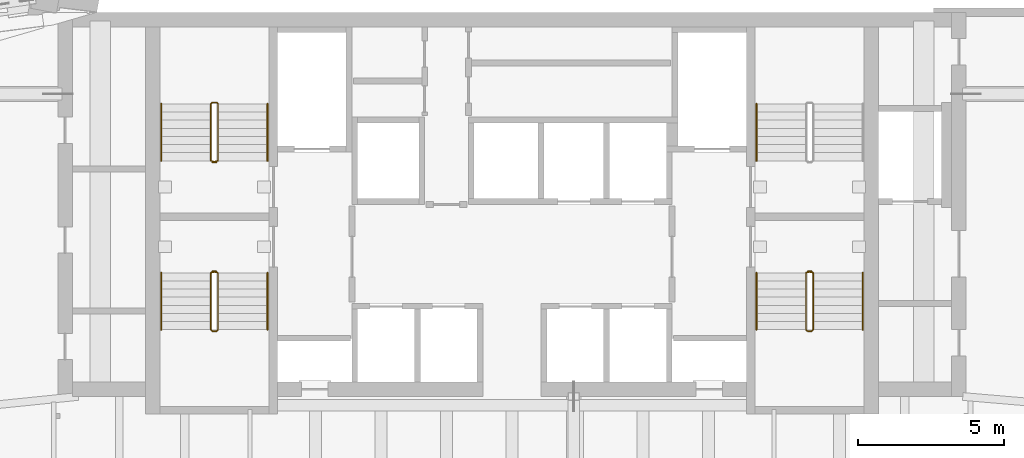
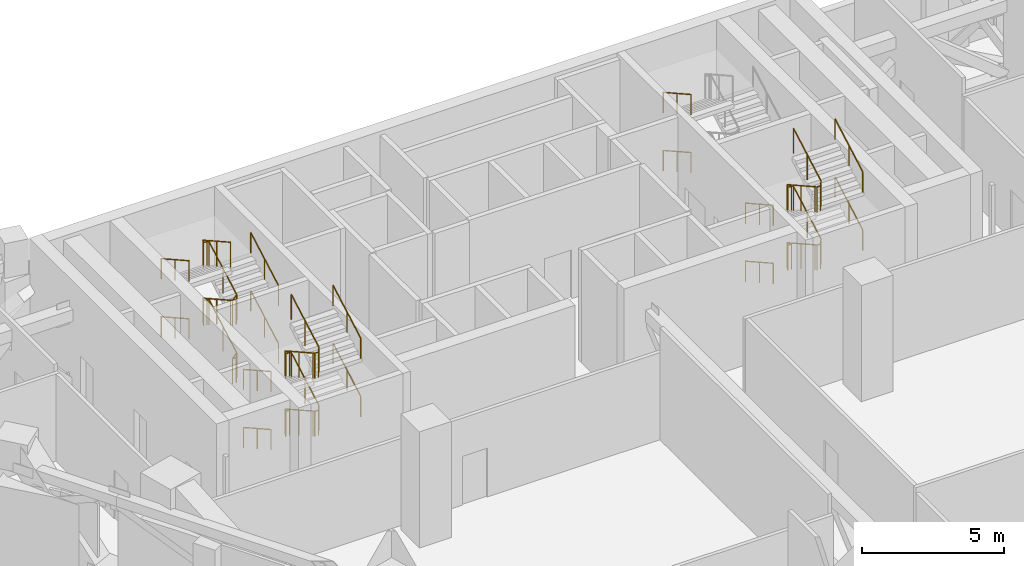
# One storey, part 21 of 22: 17 railings.
"""IFC4 building model written with IfcOpenShell, lengths in metres."""

from ifc_helpers import new_model, si_unit, direction, frame, origin, origin_2d, place, context, subcontext, project, spatial, circle, extrude, material, type_object, element, save


model = new_model("IFC4")

# Units and contexts
model_context = context("Model", 3, precision=1e-05, world=origin(), true_north=direction((0.0, 1.0)))
body_context = subcontext(model_context, "Body", "Model", "MODEL_VIEW")
ifc_project = project(units=[si_unit("LENGTHUNIT", "METRE"), si_unit("AREAUNIT", "SQUARE_METRE"), si_unit("VOLUMEUNIT", "CUBIC_METRE"), si_unit("PLANEANGLEUNIT", "RADIAN"), si_unit("MASSUNIT", "GRAM", prefix="KILO")], contexts=[model_context])

# Site, building, storey
site_placement = place(None, origin())
site = spatial("IfcSite", under=ifc_project, at=site_placement, CompositionType="ELEMENT")
building_placement = place(site_placement, origin())
building = spatial("IfcBuilding", under=site, at=building_placement, Name="Calabash Gate Tower", CompositionType="ELEMENT")
storey_placement = place(building_placement, frame((0.0, 0.0, 191.39990234375)))
storey = spatial("IfcBuildingStorey", under=building, at=storey_placement, Name="L45", CompositionType="ELEMENT", Elevation=191.39990234375)

# Railings
ifc_material_1 = material(Name="Black powder-coated steel balusters", Category="steel")
railing_type_1 = type_object("IfcRailingType", Name="Stair guard RL1100", PredefinedType="GUARDRAIL", material=ifc_material_1)
railing_1_placement = place(storey_placement, frame((-10.14990234375, 13.902587890625, 0.0)))
element("IfcRailing", 1, at=railing_1_placement, inside=storey, type_object=railing_type_1, Name="L45 ST1 stair guard 1", PredefinedType="GUARDRAIL", context=body_context, shape_type="SweptSolid", body=[
    extrude(circle(Radius=0.02392578125, at=origin_2d()), frame((0.0, 0.0, 1.076171875), z_axis=(-1.0, 0.0, 0.0), x_axis=(0.0, -1.0, 0.0)), (0.0, 0.0, 1.0), 0.150146484375),
    extrude(circle(Radius=0.02392578125, at=origin_2d()), frame((-0.150146484375, 0.0, 1.076171875), z_axis=(0.77305925043, 0.19350078918, 0.604100024756), x_axis=(-0.242814311512, 0.970072785993, 0.0)), (0.0, 0.0, 1.0), 0.258544921875),
    extrude(circle(Radius=0.02392578125, at=origin_2d()), frame((0.0498046875, 0.050048828125, 1.232421875), z_axis=(0.0, 0.872479975208, 0.48864986735), x_axis=(-1.0, 0.0, 0.0)), (0.0, 0.0, 1.0), 2.23828125),
    extrude(circle(Radius=0.02392578125, at=origin_2d()), frame((0.0498046875, 2.0029296875, 2.326171875), z_axis=(-0.705375805398, 0.708833529934, 0.0), x_axis=(-0.708833529934, -0.705375805398, 0.0)), (0.0, 0.0, 1.0), 0.070556640625),
    extrude(circle(Radius=0.02392578125, at=origin_2d()), frame((0.0, 2.052978515625, 2.326171875), z_axis=(-1.0, 0.0, 0.0), x_axis=(0.0, -1.0, 0.0)), (0.0, 0.0, 1.0), 0.150146484375),
    extrude(circle(Radius=0.02392578125, at=origin_2d()), frame((-0.150146484375, 2.052978515625, 2.326171875), z_axis=(-0.29177245553, -0.29177245553, 0.91089937336), x_axis=(0.707106781187, -0.707106781187, 0.0)), (0.0, 0.0, 1.0), 0.171630859375),
    extrude(circle(Radius=0.02392578125, at=origin_2d()), frame((-0.2001953125, 2.0029296875, 2.482421875), z_axis=(0.0, -0.872479975208, 0.48864986735), x_axis=(1.0, 0.0, 0.0)), (0.0, 0.0, 1.0), 2.23828125),
    extrude(circle(Radius=0.02392578125, at=origin_2d()), frame((-0.2001953125, 0.050048828125, 3.576171875), z_axis=(0.970142500145, -0.242535625036, 0.0), x_axis=(0.242535625036, 0.970142500145, 0.0)), (0.0, 0.0, 1.0), 0.206298828125),
    extrude(circle(Radius=0.02392578125, at=origin_2d()), frame((0.0, 0.0, 3.576171875), z_axis=(-1.0, 0.0, 0.0), x_axis=(0.0, -1.0, 0.0)), (0.0, 0.0, 1.0), 0.150146484375),
    extrude(circle(Radius=0.02392578125, at=origin_2d()), frame((-0.150146484375, 0.0, 3.576171875), z_axis=(0.77305925043, 0.19350078918, 0.604100024756), x_axis=(-0.242814311512, 0.970072785993, 0.0)), (0.0, 0.0, 1.0), 0.258544921875),
    extrude(circle(Radius=0.02392578125, at=origin_2d()), frame((0.0498046875, 0.050048828125, 3.732421875), z_axis=(0.0, 0.872479975208, 0.48864986735), x_axis=(-1.0, 0.0, 0.0)), (0.0, 0.0, 1.0), 2.23828125),
    extrude(circle(Radius=0.02392578125, at=origin_2d()), frame((0.0498046875, 2.0029296875, 4.826171875), z_axis=(-0.705375805398, 0.708833529934, 0.0), x_axis=(-0.708833529934, -0.705375805398, 0.0)), (0.0, 0.0, 1.0), 0.070556640625),
    extrude(circle(Radius=0.02392578125, at=origin_2d()), frame((0.0, 2.052978515625, 4.826171875), z_axis=(-1.0, 0.0, 0.0), x_axis=(0.0, -1.0, 0.0)), (0.0, 0.0, 1.0), 0.150146484375),
    extrude(circle(Radius=0.02392578125, at=origin_2d()), frame((-0.150146484375, 2.052978515625, 4.826171875), z_axis=(-0.29177245553, -0.29177245553, 0.91089937336), x_axis=(0.707106781187, -0.707106781187, 0.0)), (0.0, 0.0, 1.0), 0.171630859375),
    extrude(circle(Radius=0.02392578125, at=origin_2d()), frame((-0.2001953125, 2.0029296875, 4.982421875), z_axis=(0.0, -0.872479975208, 0.48864986735), x_axis=(1.0, 0.0, 0.0)), (0.0, 0.0, 1.0), 2.23828125),
    extrude(circle(Radius=0.02099609375, at=origin_2d()), origin(), (0.0, 0.0, 1.0), 1.052001953125),
    extrude(circle(Radius=0.02099609375, at=origin_2d()), frame((-0.150146484375, 0.0, 0.0)), (0.0, 0.0, 1.0), 1.052001953125),
    extrude(circle(Radius=0.02099609375, at=origin_2d()), frame((0.0498046875, 0.050048828125, 0.15625)), (0.0, 0.0, 1.0), 1.052001953125),
    extrude(circle(Radius=0.02099609375, at=origin_2d()), frame((0.0498046875, 1.0263671875, 0.703125)), (0.0, 0.0, 1.0), 1.052001953125),
    extrude(circle(Radius=0.02099609375, at=origin_2d()), frame((0.0498046875, 2.0029296875, 1.25)), (0.0, 0.0, 1.0), 1.052001953125),
    extrude(circle(Radius=0.02099609375, at=origin_2d()), frame((0.0, 2.052978515625, 1.25)), (0.0, 0.0, 1.0), 1.052001953125),
    extrude(circle(Radius=0.02099609375, at=origin_2d()), frame((-0.150146484375, 2.052978515625, 1.25)), (0.0, 0.0, 1.0), 1.052001953125),
    extrude(circle(Radius=0.02099609375, at=origin_2d()), frame((-0.2001953125, 2.0029296875, 1.40625)), (0.0, 0.0, 1.0), 1.052001953125),
    extrude(circle(Radius=0.02099609375, at=origin_2d()), frame((-0.2001953125, 1.0263671875, 1.953125)), (0.0, 0.0, 1.0), 1.052001953125),
    extrude(circle(Radius=0.02099609375, at=origin_2d()), frame((-0.2001953125, 0.050048828125, 2.5)), (0.0, 0.0, 1.0), 1.052001953125),
    extrude(circle(Radius=0.02099609375, at=origin_2d()), frame((0.0, 0.0, 2.5)), (0.0, 0.0, 1.0), 1.052001953125),
    extrude(circle(Radius=0.02099609375, at=origin_2d()), frame((-0.150146484375, 0.0, 2.5)), (0.0, 0.0, 1.0), 1.052001953125),
    extrude(circle(Radius=0.02099609375, at=origin_2d()), frame((0.0498046875, 0.050048828125, 2.65625)), (0.0, 0.0, 1.0), 1.052001953125),
    extrude(circle(Radius=0.02099609375, at=origin_2d()), frame((0.0498046875, 1.0263671875, 3.203125)), (0.0, 0.0, 1.0), 1.052001953125),
    extrude(circle(Radius=0.02099609375, at=origin_2d()), frame((0.0498046875, 2.0029296875, 3.75)), (0.0, 0.0, 1.0), 1.052001953125),
    extrude(circle(Radius=0.02099609375, at=origin_2d()), frame((0.0, 2.052978515625, 3.75)), (0.0, 0.0, 1.0), 1.052001953125),
    extrude(circle(Radius=0.02099609375, at=origin_2d()), frame((-0.150146484375, 2.052978515625, 3.75)), (0.0, 0.0, 1.0), 1.052001953125),
    extrude(circle(Radius=0.02099609375, at=origin_2d()), frame((-0.2001953125, 2.0029296875, 3.90625)), (0.0, 0.0, 1.0), 1.052001953125),
    extrude(circle(Radius=0.02099609375, at=origin_2d()), frame((-0.2001953125, 1.0263671875, 4.453125)), (0.0, 0.0, 1.0), 1.052001953125),
    extrude(circle(Radius=0.02099609375, at=origin_2d()), frame((-0.2001953125, 0.050048828125, 5.0)), (0.0, 0.0, 1.0), 1.052001953125),
])
railing_2_placement = place(storey_placement, frame((-10.300048828125, 10.152587890625, 0.0)))
element("IfcRailing", 2, at=railing_2_placement, inside=storey, type_object=railing_type_1, Name="L45 ST2 stair guard 1", PredefinedType="GUARDRAIL", context=body_context, shape_type="SweptSolid", body=[
    extrude(circle(Radius=0.02392578125, at=origin_2d()), frame((0.0, 0.0, 1.076171875), z_axis=(1.0, 0.0, 0.0), x_axis=(0.0, 1.0, 0.0)), (0.0, 0.0, 1.0), 0.150146484375),
    extrude(circle(Radius=0.02392578125, at=origin_2d()), frame((0.150146484375, 0.0, 1.076171875), z_axis=(-0.773438643492, -0.193359660873, 0.603659429067), x_axis=(0.242535625036, -0.970142500145, 0.0)), (0.0, 0.0, 1.0), 0.2587890625),
    extrude(circle(Radius=0.02392578125, at=origin_2d()), frame((-0.050048828125, -0.050048828125, 1.232421875), z_axis=(0.0, -0.872479975208, 0.48864986735), x_axis=(1.0, 0.0, 0.0)), (0.0, 0.0, 1.0), 2.23828125),
    extrude(circle(Radius=0.02392578125, at=origin_2d()), frame((-0.050048828125, -2.0029296875, 2.326171875), z_axis=(0.707106781187, -0.707106781187, 0.0), x_axis=(0.707106781187, 0.707106781187, 0.0)), (0.0, 0.0, 1.0), 0.07080078125),
    extrude(circle(Radius=0.02392578125, at=origin_2d()), frame((0.0, -2.052978515625, 2.326171875), z_axis=(1.0, 0.0, 0.0), x_axis=(0.0, 1.0, 0.0)), (0.0, 0.0, 1.0), 0.150146484375),
    extrude(circle(Radius=0.02392578125, at=origin_2d()), frame((0.150146484375, -2.052978515625, 2.326171875), z_axis=(0.290469530425, 0.291893400672, 0.911276958196), x_axis=(-0.708833529934, 0.705375805398, 0.0)), (0.0, 0.0, 1.0), 0.17138671875),
    extrude(circle(Radius=0.02392578125, at=origin_2d()), frame((0.199951171875, -2.0029296875, 2.482421875), z_axis=(0.0, 0.872479975208, 0.48864986735), x_axis=(-1.0, 0.0, 0.0)), (0.0, 0.0, 1.0), 2.23828125),
    extrude(circle(Radius=0.02392578125, at=origin_2d()), frame((0.199951171875, -0.050048828125, 3.576171875), z_axis=(-0.970072785993, 0.242814311512, 0.0), x_axis=(-0.242814311512, -0.970072785993, 0.0)), (0.0, 0.0, 1.0), 0.2060546875),
    extrude(circle(Radius=0.02392578125, at=origin_2d()), frame((0.0, 0.0, 3.576171875), z_axis=(1.0, 0.0, 0.0), x_axis=(0.0, 1.0, 0.0)), (0.0, 0.0, 1.0), 0.150146484375),
    extrude(circle(Radius=0.02392578125, at=origin_2d()), frame((0.150146484375, 0.0, 3.576171875), z_axis=(-0.773438643492, -0.193359660873, 0.603659429067), x_axis=(0.242535625036, -0.970142500145, 0.0)), (0.0, 0.0, 1.0), 0.2587890625),
    extrude(circle(Radius=0.02392578125, at=origin_2d()), frame((-0.050048828125, -0.050048828125, 3.732421875), z_axis=(0.0, -0.872479975208, 0.48864986735), x_axis=(1.0, 0.0, 0.0)), (0.0, 0.0, 1.0), 2.23828125),
    extrude(circle(Radius=0.02392578125, at=origin_2d()), frame((-0.050048828125, -2.0029296875, 4.826171875), z_axis=(0.707106781187, -0.707106781187, 0.0), x_axis=(0.707106781187, 0.707106781187, 0.0)), (0.0, 0.0, 1.0), 0.07080078125),
    extrude(circle(Radius=0.02392578125, at=origin_2d()), frame((0.0, -2.052978515625, 4.826171875), z_axis=(1.0, 0.0, 0.0), x_axis=(0.0, 1.0, 0.0)), (0.0, 0.0, 1.0), 0.150146484375),
    extrude(circle(Radius=0.02392578125, at=origin_2d()), frame((0.150146484375, -2.052978515625, 4.826171875), z_axis=(0.290469530425, 0.291893400672, 0.911276958196), x_axis=(-0.708833529934, 0.705375805398, 0.0)), (0.0, 0.0, 1.0), 0.17138671875),
    extrude(circle(Radius=0.02392578125, at=origin_2d()), frame((0.199951171875, -2.0029296875, 4.982421875), z_axis=(0.0, 0.872479975208, 0.48864986735), x_axis=(-1.0, 0.0, 0.0)), (0.0, 0.0, 1.0), 2.23828125),
    extrude(circle(Radius=0.02099609375, at=origin_2d()), origin(), (0.0, 0.0, 1.0), 1.052001953125),
    extrude(circle(Radius=0.02099609375, at=origin_2d()), frame((0.150146484375, 0.0, 0.0)), (0.0, 0.0, 1.0), 1.052001953125),
    extrude(circle(Radius=0.02099609375, at=origin_2d()), frame((-0.050048828125, -0.050048828125, 0.15625)), (0.0, 0.0, 1.0), 1.052001953125),
    extrude(circle(Radius=0.02099609375, at=origin_2d()), frame((-0.050048828125, -1.0263671875, 0.703125)), (0.0, 0.0, 1.0), 1.052001953125),
    extrude(circle(Radius=0.02099609375, at=origin_2d()), frame((-0.050048828125, -2.0029296875, 1.25)), (0.0, 0.0, 1.0), 1.052001953125),
    extrude(circle(Radius=0.02099609375, at=origin_2d()), frame((0.0, -2.052978515625, 1.25)), (0.0, 0.0, 1.0), 1.052001953125),
    extrude(circle(Radius=0.02099609375, at=origin_2d()), frame((0.150146484375, -2.052978515625, 1.25)), (0.0, 0.0, 1.0), 1.052001953125),
    extrude(circle(Radius=0.02099609375, at=origin_2d()), frame((0.199951171875, -2.0029296875, 1.40625)), (0.0, 0.0, 1.0), 1.052001953125),
    extrude(circle(Radius=0.02099609375, at=origin_2d()), frame((0.199951171875, -1.0263671875, 1.953125)), (0.0, 0.0, 1.0), 1.052001953125),
    extrude(circle(Radius=0.02099609375, at=origin_2d()), frame((0.199951171875, -0.050048828125, 2.5)), (0.0, 0.0, 1.0), 1.052001953125),
    extrude(circle(Radius=0.02099609375, at=origin_2d()), frame((0.0, 0.0, 2.5)), (0.0, 0.0, 1.0), 1.052001953125),
    extrude(circle(Radius=0.02099609375, at=origin_2d()), frame((0.150146484375, 0.0, 2.5)), (0.0, 0.0, 1.0), 1.052001953125),
    extrude(circle(Radius=0.02099609375, at=origin_2d()), frame((-0.050048828125, -0.050048828125, 2.65625)), (0.0, 0.0, 1.0), 1.052001953125),
    extrude(circle(Radius=0.02099609375, at=origin_2d()), frame((-0.050048828125, -1.0263671875, 3.203125)), (0.0, 0.0, 1.0), 1.052001953125),
    extrude(circle(Radius=0.02099609375, at=origin_2d()), frame((-0.050048828125, -2.0029296875, 3.75)), (0.0, 0.0, 1.0), 1.052001953125),
    extrude(circle(Radius=0.02099609375, at=origin_2d()), frame((0.0, -2.052978515625, 3.75)), (0.0, 0.0, 1.0), 1.052001953125),
    extrude(circle(Radius=0.02099609375, at=origin_2d()), frame((0.150146484375, -2.052978515625, 3.75)), (0.0, 0.0, 1.0), 1.052001953125),
    extrude(circle(Radius=0.02099609375, at=origin_2d()), frame((0.199951171875, -2.0029296875, 3.90625)), (0.0, 0.0, 1.0), 1.052001953125),
    extrude(circle(Radius=0.02099609375, at=origin_2d()), frame((0.199951171875, -1.0263671875, 4.453125)), (0.0, 0.0, 1.0), 1.052001953125),
    extrude(circle(Radius=0.02099609375, at=origin_2d()), frame((0.199951171875, -0.050048828125, 5.0)), (0.0, 0.0, 1.0), 1.052001953125),
])
railing_3_placement = place(storey_placement, frame((10.14990234375, 10.152587890625, 0.0)))
element("IfcRailing", 3, at=railing_3_placement, inside=storey, type_object=railing_type_1, Name="L45 ST4 stair guard 1", PredefinedType="GUARDRAIL", context=body_context, shape_type="SweptSolid", body=[
    extrude(circle(Radius=0.02392578125, at=origin_2d()), frame((0.0, 0.0, 1.076171875), z_axis=(1.0, 0.0, 0.0), x_axis=(0.0, 1.0, 0.0)), (0.0, 0.0, 1.0), 0.150146484375),
    extrude(circle(Radius=0.02392578125, at=origin_2d()), frame((0.150146484375, 0.0, 1.076171875), z_axis=(-0.77305925043, -0.19350078918, 0.604100024756), x_axis=(0.242814311512, -0.970072785993, 0.0)), (0.0, 0.0, 1.0), 0.258544921875),
    extrude(circle(Radius=0.02392578125, at=origin_2d()), frame((-0.0498046875, -0.050048828125, 1.232421875), z_axis=(0.0, -0.872479975208, 0.48864986735), x_axis=(1.0, 0.0, 0.0)), (0.0, 0.0, 1.0), 2.23828125),
    extrude(circle(Radius=0.02392578125, at=origin_2d()), frame((-0.0498046875, -2.0029296875, 2.326171875), z_axis=(0.705375805398, -0.708833529934, 0.0), x_axis=(0.708833529934, 0.705375805398, 0.0)), (0.0, 0.0, 1.0), 0.070556640625),
    extrude(circle(Radius=0.02392578125, at=origin_2d()), frame((0.0, -2.052978515625, 2.326171875), z_axis=(1.0, 0.0, 0.0), x_axis=(0.0, 1.0, 0.0)), (0.0, 0.0, 1.0), 0.150146484375),
    extrude(circle(Radius=0.02392578125, at=origin_2d()), frame((0.150146484375, -2.052978515625, 2.326171875), z_axis=(0.29177245553, 0.29177245553, 0.91089937336), x_axis=(-0.707106781187, 0.707106781187, 0.0)), (0.0, 0.0, 1.0), 0.171630859375),
    extrude(circle(Radius=0.02392578125, at=origin_2d()), frame((0.2001953125, -2.0029296875, 2.482421875), z_axis=(0.0, 0.872479975208, 0.48864986735), x_axis=(-1.0, 0.0, 0.0)), (0.0, 0.0, 1.0), 2.23828125),
    extrude(circle(Radius=0.02392578125, at=origin_2d()), frame((0.2001953125, -0.050048828125, 3.576171875), z_axis=(-0.970142500145, 0.242535625036, 0.0), x_axis=(-0.242535625036, -0.970142500145, 0.0)), (0.0, 0.0, 1.0), 0.206298828125),
    extrude(circle(Radius=0.02392578125, at=origin_2d()), frame((0.0, 0.0, 3.576171875), z_axis=(1.0, 0.0, 0.0), x_axis=(0.0, 1.0, 0.0)), (0.0, 0.0, 1.0), 0.150146484375),
    extrude(circle(Radius=0.02392578125, at=origin_2d()), frame((0.150146484375, 0.0, 3.576171875), z_axis=(-0.77305925043, -0.19350078918, 0.604100024756), x_axis=(0.242814311512, -0.970072785993, 0.0)), (0.0, 0.0, 1.0), 0.258544921875),
    extrude(circle(Radius=0.02392578125, at=origin_2d()), frame((-0.0498046875, -0.050048828125, 3.732421875), z_axis=(0.0, -0.872479975208, 0.48864986735), x_axis=(1.0, 0.0, 0.0)), (0.0, 0.0, 1.0), 2.23828125),
    extrude(circle(Radius=0.02392578125, at=origin_2d()), frame((-0.0498046875, -2.0029296875, 4.826171875), z_axis=(0.705375805398, -0.708833529934, 0.0), x_axis=(0.708833529934, 0.705375805398, 0.0)), (0.0, 0.0, 1.0), 0.070556640625),
    extrude(circle(Radius=0.02392578125, at=origin_2d()), frame((0.0, -2.052978515625, 4.826171875), z_axis=(1.0, 0.0, 0.0), x_axis=(0.0, 1.0, 0.0)), (0.0, 0.0, 1.0), 0.150146484375),
    extrude(circle(Radius=0.02392578125, at=origin_2d()), frame((0.150146484375, -2.052978515625, 4.826171875), z_axis=(0.29177245553, 0.29177245553, 0.91089937336), x_axis=(-0.707106781187, 0.707106781187, 0.0)), (0.0, 0.0, 1.0), 0.171630859375),
    extrude(circle(Radius=0.02392578125, at=origin_2d()), frame((0.2001953125, -2.0029296875, 4.982421875), z_axis=(0.0, 0.872479975208, 0.48864986735), x_axis=(-1.0, 0.0, 0.0)), (0.0, 0.0, 1.0), 2.23828125),
    extrude(circle(Radius=0.02099609375, at=origin_2d()), origin(), (0.0, 0.0, 1.0), 1.052001953125),
    extrude(circle(Radius=0.02099609375, at=origin_2d()), frame((0.150146484375, 0.0, 0.0)), (0.0, 0.0, 1.0), 1.052001953125),
    extrude(circle(Radius=0.02099609375, at=origin_2d()), frame((-0.0498046875, -0.050048828125, 0.15625)), (0.0, 0.0, 1.0), 1.052001953125),
    extrude(circle(Radius=0.02099609375, at=origin_2d()), frame((-0.0498046875, -1.0263671875, 0.703125)), (0.0, 0.0, 1.0), 1.052001953125),
    extrude(circle(Radius=0.02099609375, at=origin_2d()), frame((-0.0498046875, -2.0029296875, 1.25)), (0.0, 0.0, 1.0), 1.052001953125),
    extrude(circle(Radius=0.02099609375, at=origin_2d()), frame((0.0, -2.052978515625, 1.25)), (0.0, 0.0, 1.0), 1.052001953125),
    extrude(circle(Radius=0.02099609375, at=origin_2d()), frame((0.150146484375, -2.052978515625, 1.25)), (0.0, 0.0, 1.0), 1.052001953125),
    extrude(circle(Radius=0.02099609375, at=origin_2d()), frame((0.2001953125, -2.0029296875, 1.40625)), (0.0, 0.0, 1.0), 1.052001953125),
    extrude(circle(Radius=0.02099609375, at=origin_2d()), frame((0.2001953125, -1.0263671875, 1.953125)), (0.0, 0.0, 1.0), 1.052001953125),
    extrude(circle(Radius=0.02099609375, at=origin_2d()), frame((0.2001953125, -0.050048828125, 2.5)), (0.0, 0.0, 1.0), 1.052001953125),
    extrude(circle(Radius=0.02099609375, at=origin_2d()), frame((0.0, 0.0, 2.5)), (0.0, 0.0, 1.0), 1.052001953125),
    extrude(circle(Radius=0.02099609375, at=origin_2d()), frame((0.150146484375, 0.0, 2.5)), (0.0, 0.0, 1.0), 1.052001953125),
    extrude(circle(Radius=0.02099609375, at=origin_2d()), frame((-0.0498046875, -0.050048828125, 2.65625)), (0.0, 0.0, 1.0), 1.052001953125),
    extrude(circle(Radius=0.02099609375, at=origin_2d()), frame((-0.0498046875, -1.0263671875, 3.203125)), (0.0, 0.0, 1.0), 1.052001953125),
    extrude(circle(Radius=0.02099609375, at=origin_2d()), frame((-0.0498046875, -2.0029296875, 3.75)), (0.0, 0.0, 1.0), 1.052001953125),
    extrude(circle(Radius=0.02099609375, at=origin_2d()), frame((0.0, -2.052978515625, 3.75)), (0.0, 0.0, 1.0), 1.052001953125),
    extrude(circle(Radius=0.02099609375, at=origin_2d()), frame((0.150146484375, -2.052978515625, 3.75)), (0.0, 0.0, 1.0), 1.052001953125),
    extrude(circle(Radius=0.02099609375, at=origin_2d()), frame((0.2001953125, -2.0029296875, 3.90625)), (0.0, 0.0, 1.0), 1.052001953125),
    extrude(circle(Radius=0.02099609375, at=origin_2d()), frame((0.2001953125, -1.0263671875, 4.453125)), (0.0, 0.0, 1.0), 1.052001953125),
    extrude(circle(Radius=0.02099609375, at=origin_2d()), frame((0.2001953125, -0.050048828125, 5.0)), (0.0, 0.0, 1.0), 1.052001953125),
])
ifc_material_2 = material(Name="Black powder-coated steel tube 48 mm", Category="steel")
railing_type_2 = type_object("IfcRailingType", Name="Stair handrail RL900", PredefinedType="HANDRAIL", material=ifc_material_2)
railing_4_placement = place(storey_placement, frame((-8.39990234375, 13.95263671875, 0.15625)))
element("IfcRailing", 4, at=railing_4_placement, inside=storey, type_object=railing_type_2, Name="L45 ST1 stair handrail 1", PredefinedType="HANDRAIL", context=body_context, shape_type="SweptSolid", body=[
    extrude(circle(Radius=0.02392578125, at=origin_2d()), frame((0.0, 0.0, 0.8759765625), z_axis=(0.0, 0.872479975208, 0.48864986735), x_axis=(-1.0, 0.0, 0.0)), (0.0, 0.0, 1.0), 2.23828125),
    extrude(circle(Radius=0.02099609375, at=origin_2d()), origin(), (0.0, 0.0, 1.0), 0.851806640625),
    extrude(circle(Radius=0.02099609375, at=origin_2d()), frame((0.0, 0.9765625, 0.546875)), (0.0, 0.0, 1.0), 0.851806640625),
    extrude(circle(Radius=0.02099609375, at=origin_2d()), frame((0.0, 1.952880859375, 1.09375)), (0.0, 0.0, 1.0), 0.851806640625),
])
railing_5_placement = place(storey_placement, frame((-12.050048828125, 15.905517578125, 1.40625)))
element("IfcRailing", 5, at=railing_5_placement, inside=storey, type_object=railing_type_2, Name="L45 ST1 stair handrail 2", PredefinedType="HANDRAIL", context=body_context, shape_type="SweptSolid", body=[
    extrude(circle(Radius=0.02392578125, at=origin_2d()), frame((0.0, 0.0, 0.8759765625), z_axis=(0.0, -0.872479975208, 0.48864986735), x_axis=(1.0, 0.0, 0.0)), (0.0, 0.0, 1.0), 2.23828125),
    extrude(circle(Radius=0.02099609375, at=origin_2d()), origin(), (0.0, 0.0, 1.0), 0.851806640625),
    extrude(circle(Radius=0.02099609375, at=origin_2d()), frame((0.0, -0.9765625, 0.546875)), (0.0, 0.0, 1.0), 0.851806640625),
    extrude(circle(Radius=0.02099609375, at=origin_2d()), frame((0.0, -1.952880859375, 1.09375)), (0.0, 0.0, 1.0), 0.851806640625),
])
railing_6_placement = place(storey_placement, frame((-8.39990234375, 13.95263671875, 2.65625)))
element("IfcRailing", 6, at=railing_6_placement, inside=storey, type_object=railing_type_2, Name="L45 ST1 stair handrail 3", PredefinedType="HANDRAIL", context=body_context, shape_type="SweptSolid", body=[
    extrude(circle(Radius=0.02392578125, at=origin_2d()), frame((0.0, 0.0, 0.8759765625), z_axis=(0.0, 0.872479975208, 0.48864986735), x_axis=(-1.0, 0.0, 0.0)), (0.0, 0.0, 1.0), 2.23828125),
    extrude(circle(Radius=0.02099609375, at=origin_2d()), origin(), (0.0, 0.0, 1.0), 0.851806640625),
    extrude(circle(Radius=0.02099609375, at=origin_2d()), frame((0.0, 0.9765625, 0.546875)), (0.0, 0.0, 1.0), 0.851806640625),
    extrude(circle(Radius=0.02099609375, at=origin_2d()), frame((0.0, 1.952880859375, 1.09375)), (0.0, 0.0, 1.0), 0.851806640625),
])
for number, where, name in (
    (7, (-12.050048828125, 15.905517578125, 3.90625), "L45 ST1 stair handrail 4"),
    (8, (-12.050048828125, 10.1025390625, 0.15625), "L45 ST2 stair handrail 1"),
):
    element("IfcRailing", number, at=place(storey_placement, frame(where)), inside=storey, type_object=railing_type_2, Name=name, PredefinedType="HANDRAIL", context=body_context, shape_type="SweptSolid", body=[
        extrude(circle(Radius=0.02392578125, at=origin_2d()), frame((0.0, 0.0, 0.8759765625), z_axis=(0.0, -0.872479975208, 0.48864986735), x_axis=(1.0, 0.0, 0.0)), (0.0, 0.0, 1.0), 2.23828125),
        extrude(circle(Radius=0.02099609375, at=origin_2d()), origin(), (0.0, 0.0, 1.0), 0.851806640625),
        extrude(circle(Radius=0.02099609375, at=origin_2d()), frame((0.0, -0.9765625, 0.546875)), (0.0, 0.0, 1.0), 0.851806640625),
        extrude(circle(Radius=0.02099609375, at=origin_2d()), frame((0.0, -1.952880859375, 1.09375)), (0.0, 0.0, 1.0), 0.851806640625),
    ])
railing_7_placement = place(storey_placement, frame((-8.39990234375, 8.149658203125, 1.40625)))
element("IfcRailing", 9, at=railing_7_placement, inside=storey, type_object=railing_type_2, Name="L45 ST2 stair handrail 2", PredefinedType="HANDRAIL", context=body_context, shape_type="SweptSolid", body=[
    extrude(circle(Radius=0.02392578125, at=origin_2d()), frame((0.0, 0.0, 0.8759765625), z_axis=(0.0, 0.872479975208, 0.48864986735), x_axis=(-1.0, 0.0, 0.0)), (0.0, 0.0, 1.0), 2.23828125),
    extrude(circle(Radius=0.02099609375, at=origin_2d()), origin(), (0.0, 0.0, 1.0), 0.851806640625),
    extrude(circle(Radius=0.02099609375, at=origin_2d()), frame((0.0, 0.9765625, 0.546875)), (0.0, 0.0, 1.0), 0.851806640625),
    extrude(circle(Radius=0.02099609375, at=origin_2d()), frame((0.0, 1.952880859375, 1.09375)), (0.0, 0.0, 1.0), 0.851806640625),
])
railing_8_placement = place(storey_placement, frame((-12.050048828125, 10.1025390625, 2.65625)))
element("IfcRailing", 10, at=railing_8_placement, inside=storey, type_object=railing_type_2, Name="L45 ST2 stair handrail 3", PredefinedType="HANDRAIL", context=body_context, shape_type="SweptSolid", body=[
    extrude(circle(Radius=0.02392578125, at=origin_2d()), frame((0.0, 0.0, 0.8759765625), z_axis=(0.0, -0.872479975208, 0.48864986735), x_axis=(1.0, 0.0, 0.0)), (0.0, 0.0, 1.0), 2.23828125),
    extrude(circle(Radius=0.02099609375, at=origin_2d()), origin(), (0.0, 0.0, 1.0), 0.851806640625),
    extrude(circle(Radius=0.02099609375, at=origin_2d()), frame((0.0, -0.9765625, 0.546875)), (0.0, 0.0, 1.0), 0.851806640625),
    extrude(circle(Radius=0.02099609375, at=origin_2d()), frame((0.0, -1.952880859375, 1.09375)), (0.0, 0.0, 1.0), 0.851806640625),
])
railing_9_placement = place(storey_placement, frame((-8.39990234375, 8.149658203125, 3.90625)))
element("IfcRailing", 11, at=railing_9_placement, inside=storey, type_object=railing_type_2, Name="L45 ST2 stair handrail 4", PredefinedType="HANDRAIL", context=body_context, shape_type="SweptSolid", body=[
    extrude(circle(Radius=0.02392578125, at=origin_2d()), frame((0.0, 0.0, 0.8759765625), z_axis=(0.0, 0.872479975208, 0.48864986735), x_axis=(-1.0, 0.0, 0.0)), (0.0, 0.0, 1.0), 2.23828125),
    extrude(circle(Radius=0.02099609375, at=origin_2d()), origin(), (0.0, 0.0, 1.0), 0.851806640625),
    extrude(circle(Radius=0.02099609375, at=origin_2d()), frame((0.0, 0.9765625, 0.546875)), (0.0, 0.0, 1.0), 0.851806640625),
    extrude(circle(Radius=0.02099609375, at=origin_2d()), frame((0.0, 1.952880859375, 1.09375)), (0.0, 0.0, 1.0), 0.851806640625),
])
for number, where, name in (
    (12, (8.39990234375, 15.905517578125, 1.40625), "L45 ST3 stair handrail 2"),
    (13, (8.39990234375, 15.905517578125, 3.90625), "L45 ST3 stair handrail 4"),
    (14, (8.39990234375, 10.1025390625, 0.15625), "L45 ST4 stair handrail 1"),
):
    element("IfcRailing", number, at=place(storey_placement, frame(where)), inside=storey, type_object=railing_type_2, Name=name, PredefinedType="HANDRAIL", context=body_context, shape_type="SweptSolid", body=[
        extrude(circle(Radius=0.02392578125, at=origin_2d()), frame((0.0, 0.0, 0.8759765625), z_axis=(0.0, -0.872479975208, 0.48864986735), x_axis=(1.0, 0.0, 0.0)), (0.0, 0.0, 1.0), 2.23828125),
        extrude(circle(Radius=0.02099609375, at=origin_2d()), origin(), (0.0, 0.0, 1.0), 0.851806640625),
        extrude(circle(Radius=0.02099609375, at=origin_2d()), frame((0.0, -0.9765625, 0.546875)), (0.0, 0.0, 1.0), 0.851806640625),
        extrude(circle(Radius=0.02099609375, at=origin_2d()), frame((0.0, -1.952880859375, 1.09375)), (0.0, 0.0, 1.0), 0.851806640625),
    ])
railing_10_placement = place(storey_placement, frame((12.050048828125, 8.149658203125, 1.40625)))
element("IfcRailing", 15, at=railing_10_placement, inside=storey, type_object=railing_type_2, Name="L45 ST4 stair handrail 2", PredefinedType="HANDRAIL", context=body_context, shape_type="SweptSolid", body=[
    extrude(circle(Radius=0.02392578125, at=origin_2d()), frame((0.0, 0.0, 0.8759765625), z_axis=(0.0, 0.872479975208, 0.48864986735), x_axis=(-1.0, 0.0, 0.0)), (0.0, 0.0, 1.0), 2.23828125),
    extrude(circle(Radius=0.02099609375, at=origin_2d()), origin(), (0.0, 0.0, 1.0), 0.851806640625),
    extrude(circle(Radius=0.02099609375, at=origin_2d()), frame((0.0, 0.9765625, 0.546875)), (0.0, 0.0, 1.0), 0.851806640625),
    extrude(circle(Radius=0.02099609375, at=origin_2d()), frame((0.0, 1.952880859375, 1.09375)), (0.0, 0.0, 1.0), 0.851806640625),
])
railing_11_placement = place(storey_placement, frame((8.39990234375, 10.1025390625, 2.65625)))
element("IfcRailing", 16, at=railing_11_placement, inside=storey, type_object=railing_type_2, Name="L45 ST4 stair handrail 3", PredefinedType="HANDRAIL", context=body_context, shape_type="SweptSolid", body=[
    extrude(circle(Radius=0.02392578125, at=origin_2d()), frame((0.0, 0.0, 0.8759765625), z_axis=(0.0, -0.872479975208, 0.48864986735), x_axis=(1.0, 0.0, 0.0)), (0.0, 0.0, 1.0), 2.23828125),
    extrude(circle(Radius=0.02099609375, at=origin_2d()), origin(), (0.0, 0.0, 1.0), 0.851806640625),
    extrude(circle(Radius=0.02099609375, at=origin_2d()), frame((0.0, -0.9765625, 0.546875)), (0.0, 0.0, 1.0), 0.851806640625),
    extrude(circle(Radius=0.02099609375, at=origin_2d()), frame((0.0, -1.952880859375, 1.09375)), (0.0, 0.0, 1.0), 0.851806640625),
])
railing_12_placement = place(storey_placement, frame((12.050048828125, 8.149658203125, 3.90625)))
element("IfcRailing", 17, at=railing_12_placement, inside=storey, type_object=railing_type_2, Name="L45 ST4 stair handrail 4", PredefinedType="HANDRAIL", context=body_context, shape_type="SweptSolid", body=[
    extrude(circle(Radius=0.02392578125, at=origin_2d()), frame((0.0, 0.0, 0.8759765625), z_axis=(0.0, 0.872479975208, 0.48864986735), x_axis=(-1.0, 0.0, 0.0)), (0.0, 0.0, 1.0), 2.23828125),
    extrude(circle(Radius=0.02099609375, at=origin_2d()), origin(), (0.0, 0.0, 1.0), 0.851806640625),
    extrude(circle(Radius=0.02099609375, at=origin_2d()), frame((0.0, 0.9765625, 0.546875)), (0.0, 0.0, 1.0), 0.851806640625),
    extrude(circle(Radius=0.02099609375, at=origin_2d()), frame((0.0, 1.952880859375, 1.09375)), (0.0, 0.0, 1.0), 0.851806640625),
])

save(model, "model.ifc")
